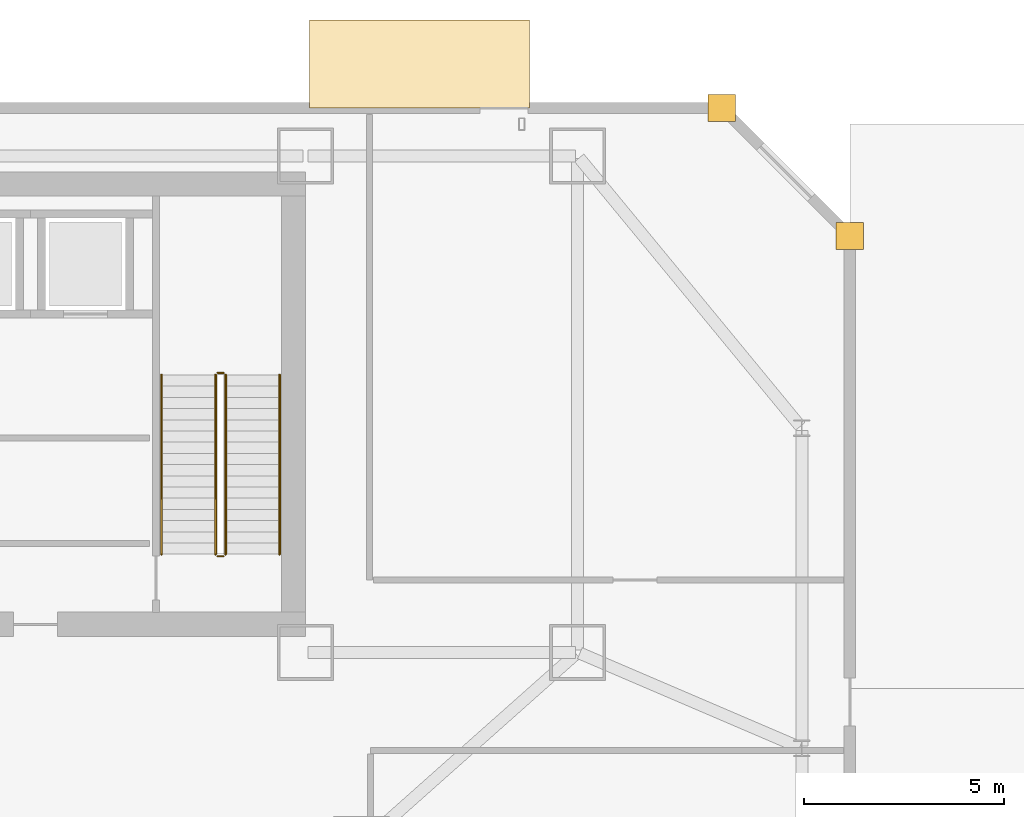
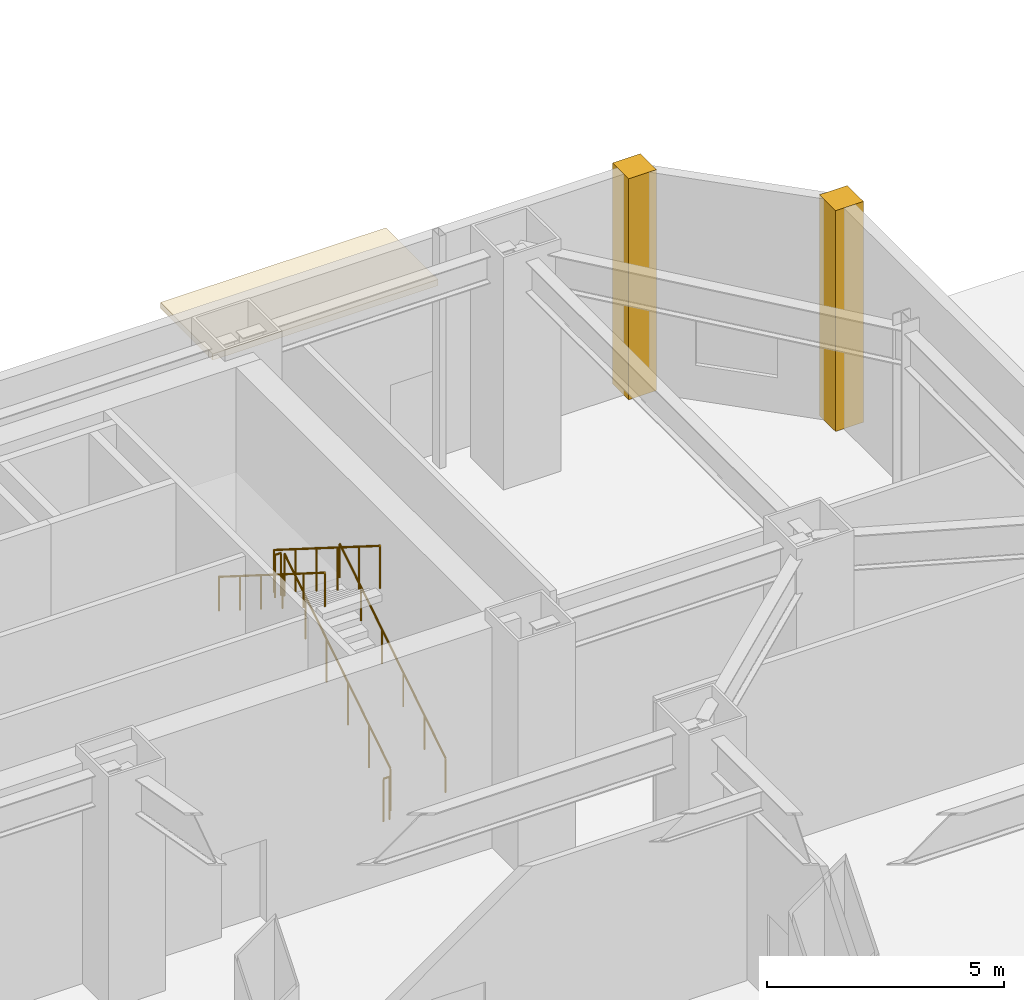
# One storey, part 19 of 23: 6 railings, 3 coverings.
"""IFC4 building model written with IfcOpenShell, lengths in metres."""

from ifc_helpers import new_model, si_unit, direction, frame, origin, origin_2d, place, context, subcontext, project, spatial, polyline, circle, outline, extrude, material, layer, layer_set, type_object, element, save


model = new_model("IFC4")

# Units and contexts
model_context = context("Model", 3, precision=1e-05, world=origin(), true_north=direction((0.0, 1.0)))
body_context = subcontext(model_context, "Body", "Model", "MODEL_VIEW")
ifc_project = project(units=[si_unit("LENGTHUNIT", "METRE"), si_unit("AREAUNIT", "SQUARE_METRE"), si_unit("VOLUMEUNIT", "CUBIC_METRE"), si_unit("PLANEANGLEUNIT", "RADIAN"), si_unit("MASSUNIT", "GRAM", prefix="KILO")], contexts=[model_context])

# Site, building, storey
site_placement = place(None, origin())
site = spatial("IfcSite", under=ifc_project, at=site_placement, CompositionType="ELEMENT")
building_placement = place(site_placement, origin())
building = spatial("IfcBuilding", under=site, at=building_placement, Name="Saevonmaru Cultural Tower", CompositionType="ELEMENT")
storey_placement = place(building_placement, origin())
storey = spatial("IfcBuildingStorey", under=building, at=storey_placement, Name="L00", CompositionType="ELEMENT", Elevation=0.0)

# Coverings
ifc_material_1 = material(Name="Champagne Bronze Anodised Aluminium", Category="aluminium")
ifc_layer_1 = layer(ifc_material_1, 0.159912109375, Name="Champagne Bronze Anodised Aluminium")
ifc_layer_set_1 = layer_set([ifc_layer_1], Name="Champagne Bronze Anodised Aluminium")
covering_type_1 = type_object("IfcCoveringType", Name="CV-CANOPY-BRONZE", PredefinedType="CLADDING", material=ifc_layer_set_1)
covering_1_placement = place(storey_placement, frame((0.0, 0.0, 4.300048828125)))
element("IfcCovering", 1, at=covering_1_placement, inside=storey, type_object=covering_type_1, Name="North Promenade Entrance Canopy", PredefinedType="CLADDING", context=body_context, shape_type="SweptSolid", body=[
    extrude(outline(polyline([(46.5, 56.0), (52.0, 56.0), (52.0, 58.199951171875), (46.5, 58.199951171875), (46.5, 56.0)])), origin(), (0.0, 0.0, 1.0), 0.159912109375),
])
ifc_material_2 = material(Name="Satin Bronze Anodised Aluminium", Category="aluminium")
ifc_layer_2 = layer(ifc_material_2, 0.679931640625, Name="Satin Bronze Anodised Aluminium")
ifc_layer_set_2 = layer_set([ifc_layer_2], Name="Satin Bronze Anodised Aluminium")
covering_type_2 = type_object("IfcCoveringType", Name="CV-CORNER-CLAD", PredefinedType="CLADDING", material=ifc_layer_set_2)
covering_2_placement = place(storey_placement, origin())
element("IfcCovering", 2, at=covering_2_placement, inside=storey, type_object=covering_type_2, Name="L00 Podium Bronze Corner Cladding Pier 5", PredefinedType="CLADDING", context=body_context, shape_type="SweptSolid", body=[
    extrude(outline(polyline([(59.659912109375, 52.4599609375), (60.340087890625, 52.4599609375), (60.340087890625, 53.139892578125), (59.659912109375, 53.139892578125), (59.659912109375, 52.4599609375)])), origin(), (0.0, 0.0, 1.0), 5.699951171875),
])
covering_3_placement = place(storey_placement, origin())
element("IfcCovering", 3, at=covering_3_placement, inside=storey, type_object=covering_type_2, Name="L00 Podium Bronze Corner Cladding Pier 6", PredefinedType="CLADDING", context=body_context, shape_type="SweptSolid", body=[
    extrude(outline(polyline([(56.4599609375, 55.659912109375), (57.139892578125, 55.659912109375), (57.139892578125, 56.340087890625), (56.4599609375, 56.340087890625), (56.4599609375, 55.659912109375)])), origin(), (0.0, 0.0, 1.0), 5.699951171875),
])

# Railings
ifc_material_3 = material(Name="Architectural Painted Steel", Category="steel")
railing_type_1 = type_object("IfcRailingType", Name="RL-STAIR-GUARD", PredefinedType="GUARDRAIL", material=ifc_material_3)
railing_1_placement = place(storey_placement, frame((44.39990234375, 44.85009765625, 0.176513671875)))
element("IfcRailing", 4, at=railing_1_placement, inside=storey, type_object=railing_type_1, Name="L00 ST-2 stair guard 1", PredefinedType="GUARDRAIL", context=body_context, shape_type="SweptSolid", body=[
    extrude(circle(Radius=0.02392578125, at=origin_2d()), frame((0.0, 0.0, 1.09619140625), z_axis=(0.0, 0.845997938375, 0.533186166611), x_axis=(-1.0, 0.0, 0.0)), (0.0, 0.0, 1.0), 5.29541015625),
    extrude(circle(Radius=0.02099609375, at=origin_2d()), origin(), (0.0, 0.0, 1.0), 1.072021484375),
    extrude(circle(Radius=0.02099609375, at=origin_2d()), frame((0.0, 0.89599609375, 0.564697265625)), (0.0, 0.0, 1.0), 1.072021484375),
    extrude(circle(Radius=0.02099609375, at=origin_2d()), frame((0.0, 1.7919921875, 1.12939453125)), (0.0, 0.0, 1.0), 1.072021484375),
    extrude(circle(Radius=0.02099609375, at=origin_2d()), frame((0.0, 2.68798828125, 1.694091796875)), (0.0, 0.0, 1.0), 1.072021484375),
    extrude(circle(Radius=0.02099609375, at=origin_2d()), frame((0.0, 3.583984375, 2.2587890625)), (0.0, 0.0, 1.0), 1.072021484375),
    extrude(circle(Radius=0.02099609375, at=origin_2d()), frame((0.0, 4.47998046875, 2.823486328125)), (0.0, 0.0, 1.0), 1.072021484375),
])
railing_2_placement = place(storey_placement, frame((44.35009765625, 49.3798828125, 3.0)))
element("IfcRailing", 5, at=railing_2_placement, inside=storey, type_object=railing_type_1, Name="L00 ST-2 stair guard 2", PredefinedType="GUARDRAIL", context=body_context, shape_type="SweptSolid", body=[
    extrude(circle(Radius=0.02392578125, at=origin_2d()), frame((0.0, 0.0, 1.09619140625), z_axis=(-1.0, 0.0, 0.0), x_axis=(0.0, -1.0, 0.0)), (0.0, 0.0, 1.0), 0.150146484375),
    extrude(circle(Radius=0.02099609375, at=origin_2d()), origin(), (0.0, 0.0, 1.0), 1.072021484375),
    extrude(circle(Radius=0.02099609375, at=origin_2d()), frame((-0.150146484375, 0.0, 0.0)), (0.0, 0.0, 1.0), 1.072021484375),
])
railing_3_placement = place(storey_placement, frame((44.14990234375, 49.330078125, 3.176513671875)))
element("IfcRailing", 6, at=railing_3_placement, inside=storey, type_object=railing_type_1, Name="L00 ST-2 stair guard 3", PredefinedType="GUARDRAIL", context=body_context, shape_type="SweptSolid", body=[
    extrude(circle(Radius=0.02392578125, at=origin_2d()), frame((0.0, 0.0, 1.09619140625), z_axis=(0.0, -0.845997938375, 0.533186166611), x_axis=(1.0, 0.0, 0.0)), (0.0, 0.0, 1.0), 5.29541015625),
    extrude(circle(Radius=0.02099609375, at=origin_2d()), origin(), (0.0, 0.0, 1.0), 1.072021484375),
    extrude(circle(Radius=0.02099609375, at=origin_2d()), frame((0.0, -0.89599609375, 0.564697265625)), (0.0, 0.0, 1.0), 1.072021484375),
    extrude(circle(Radius=0.02099609375, at=origin_2d()), frame((0.0, -1.7919921875, 1.12939453125)), (0.0, 0.0, 1.0), 1.072021484375),
    extrude(circle(Radius=0.02099609375, at=origin_2d()), frame((0.0, -2.68798828125, 1.694091796875)), (0.0, 0.0, 1.0), 1.072021484375),
    extrude(circle(Radius=0.02099609375, at=origin_2d()), frame((0.0, -3.583984375, 2.2587890625)), (0.0, 0.0, 1.0), 1.072021484375),
    extrude(circle(Radius=0.02099609375, at=origin_2d()), frame((0.0, -4.47998046875, 2.823486328125)), (0.0, 0.0, 1.0), 1.072021484375),
])
railing_4_placement = place(storey_placement, frame((44.35009765625, 44.800048828125, 0.0)))
element("IfcRailing", 7, at=railing_4_placement, inside=storey, type_object=railing_type_1, Name="L00 ST-2 stair guard 4", PredefinedType="GUARDRAIL", context=body_context, shape_type="SweptSolid", body=[
    extrude(circle(Radius=0.02392578125, at=origin_2d()), frame((0.0, 0.0, 1.09619140625), z_axis=(-1.0, 0.0, 0.0), x_axis=(0.0, -1.0, 0.0)), (0.0, 0.0, 1.0), 0.150146484375),
    extrude(circle(Radius=0.02099609375, at=origin_2d()), origin(), (0.0, 0.0, 1.0), 1.072021484375),
    extrude(circle(Radius=0.02099609375, at=origin_2d()), frame((-0.150146484375, 0.0, 0.0)), (0.0, 0.0, 1.0), 1.072021484375),
])
railing_type_2 = type_object("IfcRailingType", Name="RL-STAIR-HANDRAIL", PredefinedType="HANDRAIL", material=ifc_material_2)
railing_5_placement = place(storey_placement, frame((45.75, 44.85009765625, 0.176513671875)))
element("IfcRailing", 8, at=railing_5_placement, inside=storey, type_object=railing_type_2, Name="L00 ST-2 stair handrail 1", PredefinedType="HANDRAIL", context=body_context, shape_type="SweptSolid", body=[
    extrude(circle(Radius=0.02392578125, at=origin_2d()), frame((0.0, 0.0, 0.8759765625), z_axis=(0.0, 0.845997938375, 0.533186166611), x_axis=(-1.0, 0.0, 0.0)), (0.0, 0.0, 1.0), 5.29541015625),
    extrude(circle(Radius=0.02099609375, at=origin_2d()), origin(), (0.0, 0.0, 1.0), 0.851806640625),
    extrude(circle(Radius=0.02099609375, at=origin_2d()), frame((0.0, 0.89599609375, 0.564697265625)), (0.0, 0.0, 1.0), 0.851806640625),
    extrude(circle(Radius=0.02099609375, at=origin_2d()), frame((0.0, 1.7919921875, 1.12939453125)), (0.0, 0.0, 1.0), 0.851806640625),
    extrude(circle(Radius=0.02099609375, at=origin_2d()), frame((0.0, 2.68798828125, 1.694091796875)), (0.0, 0.0, 1.0), 0.851806640625),
    extrude(circle(Radius=0.02099609375, at=origin_2d()), frame((0.0, 3.583984375, 2.2587890625)), (0.0, 0.0, 1.0), 0.851806640625),
    extrude(circle(Radius=0.02099609375, at=origin_2d()), frame((0.0, 4.47998046875, 2.823486328125)), (0.0, 0.0, 1.0), 0.851806640625),
])
railing_6_placement = place(storey_placement, frame((42.800048828125, 49.330078125, 3.176513671875)))
element("IfcRailing", 9, at=railing_6_placement, inside=storey, type_object=railing_type_2, Name="L00 ST-2 stair handrail 2", PredefinedType="HANDRAIL", context=body_context, shape_type="SweptSolid", body=[
    extrude(circle(Radius=0.02392578125, at=origin_2d()), frame((0.0, 0.0, 0.8759765625), z_axis=(0.0, -0.845997938375, 0.533186166611), x_axis=(1.0, 0.0, 0.0)), (0.0, 0.0, 1.0), 5.29541015625),
    extrude(circle(Radius=0.02099609375, at=origin_2d()), origin(), (0.0, 0.0, 1.0), 0.851806640625),
    extrude(circle(Radius=0.02099609375, at=origin_2d()), frame((0.0, -0.89599609375, 0.564697265625)), (0.0, 0.0, 1.0), 0.851806640625),
    extrude(circle(Radius=0.02099609375, at=origin_2d()), frame((0.0, -1.7919921875, 1.12939453125)), (0.0, 0.0, 1.0), 0.851806640625),
    extrude(circle(Radius=0.02099609375, at=origin_2d()), frame((0.0, -2.68798828125, 1.694091796875)), (0.0, 0.0, 1.0), 0.851806640625),
    extrude(circle(Radius=0.02099609375, at=origin_2d()), frame((0.0, -3.583984375, 2.2587890625)), (0.0, 0.0, 1.0), 0.851806640625),
    extrude(circle(Radius=0.02099609375, at=origin_2d()), frame((0.0, -4.47998046875, 2.823486328125)), (0.0, 0.0, 1.0), 0.851806640625),
])

save(model, "model.ifc")
